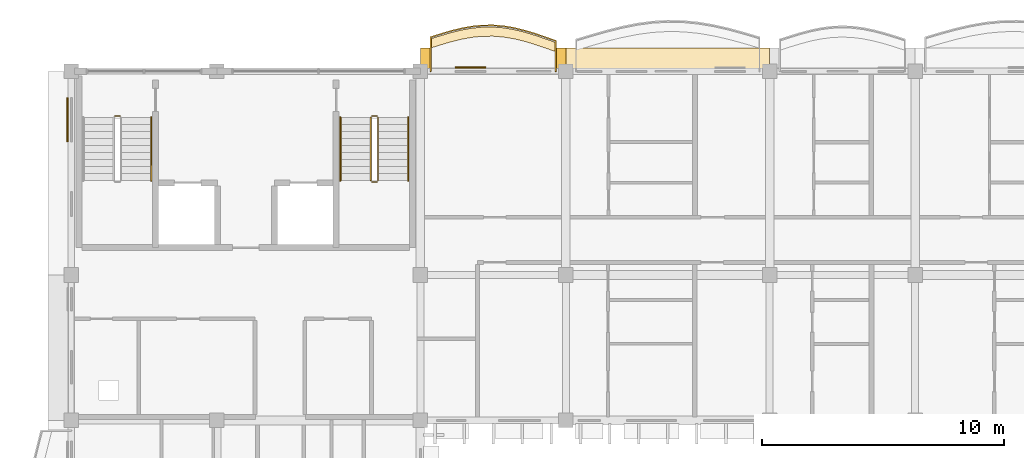
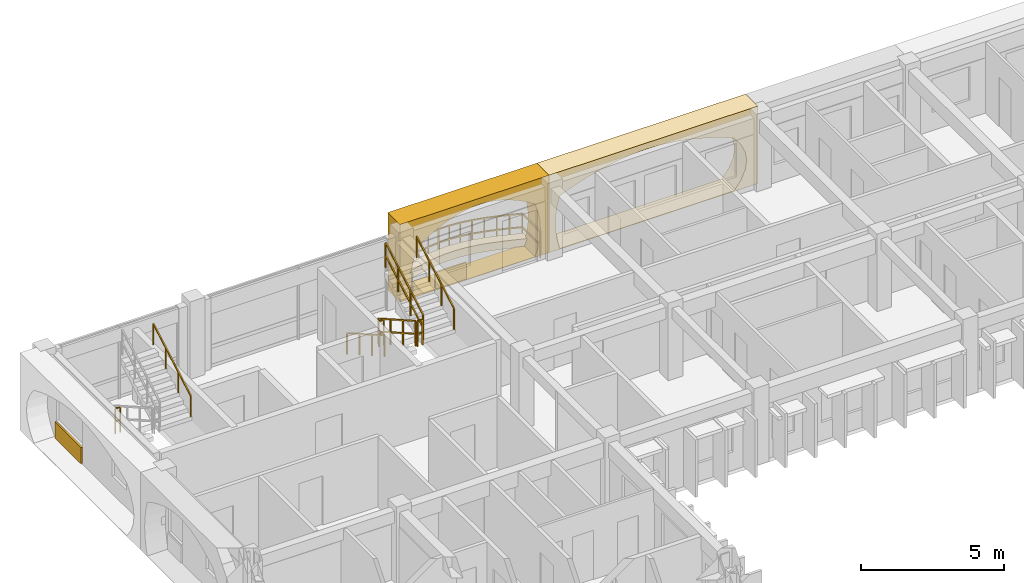
# One storey, part 36 of 45: 9 railings, 5 coverings.
"""IFC4 building model written with IfcOpenShell, lengths in metres."""

from ifc_helpers import new_model, si_unit, direction, frame, origin, origin_2d, place, context, subcontext, project, spatial, polyline, rectangle, outline, extrude, material, layer, layer_set, type_object, element, save


model = new_model("IFC4")

# Units and contexts
model_context = context("Model", 3, precision=1e-05, world=origin(), true_north=direction((0.0, 1.0)))
body_context = subcontext(model_context, "Body", "Model", "MODEL_VIEW")
ifc_project = project(units=[si_unit("LENGTHUNIT", "METRE"), si_unit("AREAUNIT", "SQUARE_METRE"), si_unit("VOLUMEUNIT", "CUBIC_METRE"), si_unit("PLANEANGLEUNIT", "RADIAN"), si_unit("MASSUNIT", "GRAM", prefix="KILO"), si_unit("THERMODYNAMICTEMPERATUREUNIT", "KELVIN")], contexts=[model_context])

# Site, building, storey
site_placement = place(None, origin())
site = spatial("IfcSite", under=ifc_project, at=site_placement, CompositionType="ELEMENT")
building_placement = place(site_placement, origin())
building = spatial("IfcBuilding", under=site, at=building_placement, Name="Thalorik Housing Commons", CompositionType="ELEMENT")
storey_placement = place(building_placement, frame((0.0, 0.0, 34.5)))
storey = spatial("IfcBuildingStorey", under=building, at=storey_placement, Name="L10", CompositionType="ELEMENT", Elevation=34.5)

# Coverings
ifc_material_1 = material(Name="Precast concrete C40/50", Category="concrete")
ifc_layer_1 = layer(ifc_material_1, 0.85009765625, Name="Precast concrete C40/50", Category="concrete")
ifc_layer_set_1 = layer_set([ifc_layer_1], Name="Precast concrete C40/50")
covering_type_1 = type_object("IfcCoveringType", Name="ARC-CLD-CUSH-850", PredefinedType="CLADDING", material=ifc_layer_set_1)
covering_1_placement = place(storey_placement, frame((33.0, 124.142578125, 0.0), z_axis=(0.0, 0.0, 1.0), x_axis=(-1.0, 0.0, 0.0)))
element("IfcCovering", 1, at=covering_1_placement, inside=storey, type_object=covering_type_1, Name="L10 White Precast Curved Cushion Bay Frame 1050", PredefinedType="CLADDING", context=body_context, shape_type="SweptSolid", body=[
    extrude(outline(polyline([(-4.199951171875, 0.0), (4.199951171875, 0.0), (4.199951171875, 3.300048828125), (-4.199951171875, 3.300048828125), (-4.199951171875, 0.0)]), holes=[polyline([(3.777099609375, 0.02490234375), (3.866455078125, 0.399169921875), (3.919921875, 0.773193359375), (3.93798828125, 1.1474609375), (3.919921875, 1.521728515625), (3.866455078125, 1.895751953125), (3.777099609375, 2.27001953125), (3.1923828125, 2.50439453125), (2.607666015625, 2.6884765625), (2.02294921875, 2.837646484375), (1.43798828125, 2.948486328125), (0.853515625, 3.016845703125), (0.2685546875, 3.0400390625), (-0.316162109375, 3.016845703125), (-0.90087890625, 2.948486328125), (-1.485595703125, 2.837646484375), (-2.070556640625, 2.6884765625), (-2.6552734375, 2.50439453125), (-3.239990234375, 2.27001953125), (-3.523193359375, 1.895751953125), (-3.693359375, 1.521728515625), (-3.75, 1.1474609375), (-3.693359375, 0.773193359375), (-3.523193359375, 0.399169921875), (-3.239990234375, 0.02490234375), (3.777099609375, 0.02490234375)])]), frame((0.0, 0.425048828125, 0.0), z_axis=(0.0, -1.0, 0.0), x_axis=(1.0, 0.0, 0.0)), (0.0, 0.0, 1.0), 0.85009765625),
])
covering_2_placement = place(storey_placement, frame((25.800048828125, 124.142578125, 0.0), z_axis=(0.0, 0.0, 1.0), x_axis=(-1.0, 0.0, 0.0)))
element("IfcCovering", 2, at=covering_2_placement, inside=storey, type_object=covering_type_1, Name="L10 White Precast Curved Cushion Bay Frame 1052", PredefinedType="CLADDING", context=body_context, shape_type="SweptSolid", body=[
    extrude(outline(polyline([(-3.0, 0.0), (3.0, 0.0), (3.0, 3.300048828125), (-3.0, 3.300048828125), (-3.0, 0.0)]), holes=[polyline([(2.0400390625, 0.02490234375), (2.3232421875, 0.399169921875), (2.493408203125, 0.773193359375), (2.550048828125, 1.1474609375), (2.493408203125, 1.521728515625), (2.3232421875, 1.895751953125), (2.0400390625, 2.27001953125), (1.66748046875, 2.50439453125), (1.294921875, 2.6884765625), (0.922607421875, 2.837646484375), (0.550048828125, 2.948486328125), (0.177490234375, 3.016845703125), (-0.195068359375, 3.0400390625), (-0.5673828125, 3.016845703125), (-0.93994140625, 2.948486328125), (-1.3125, 2.837646484375), (-1.68505859375, 2.6884765625), (-2.0576171875, 2.50439453125), (-2.429931640625, 2.27001953125), (-2.55029296875, 1.895751953125), (-2.62255859375, 1.521728515625), (-2.646484375, 1.1474609375), (-2.62255859375, 0.773193359375), (-2.55029296875, 0.399169921875), (-2.429931640625, 0.02490234375), (2.0400390625, 0.02490234375)])]), frame((0.0, 0.425048828125, 0.0), z_axis=(0.0, -1.0, 0.0), x_axis=(1.0, 0.0, 0.0)), (0.0, 0.0, 1.0), 0.85009765625),
])
ifc_material_2 = material(Name="Mineral ochre architectural terracotta panel", Category="masonry")
ifc_layer_2 = layer(ifc_material_2, 0.06494140625, Name="Mineral ochre architectural terracotta panel", Category="masonry")
ifc_layer_set_2 = layer_set([ifc_layer_2], Name="Mineral ochre architectural terracotta panel")
covering_type_2 = type_object("IfcCoveringType", Name="ARC-CLD-YEL-65", PredefinedType="CLADDING", material=ifc_layer_set_2)
covering_3_placement = place(storey_placement, frame((24.860107421875, 123.7548828125, 0.0498046875), z_axis=(0.0, 0.0, 1.0), x_axis=(-1.0, 0.0, 0.0)))
element("IfcCovering", 3, at=covering_3_placement, inside=storey, type_object=covering_type_2, Name="L10 De Stijl Recessed Window Spandrel 1053", PredefinedType="CLADDING", context=body_context, shape_type="SweptSolid", body=[
    extrude(rectangle(XDim=1.25, YDim=0.06494140625, at=origin_2d()), origin(), (0.0, 0.0, 1.0), 0.699951171875),
])
covering_4_placement = place(storey_placement, frame((8.2451171875, 121.603759765625, 0.0498046875), z_axis=(0.0, 0.0, 1.0), x_axis=(0.0, -1.0, 0.0)))
element("IfcCovering", 4, at=covering_4_placement, inside=storey, type_object=covering_type_2, Name="L10 De Stijl Recessed Window Spandrel 1055", PredefinedType="CLADDING", context=body_context, shape_type="SweptSolid", body=[
    extrude(rectangle(XDim=1.820068359375, YDim=0.06494140625, at=origin_2d()), origin(), (0.0, 0.0, 1.0), 0.699951171875),
])
ifc_material_3 = material(Name="Planted vegetated substrate and terracotta trough", Category="masonry")
ifc_layer_3 = layer(ifc_material_3, 0.340087890625, Name="Planted vegetated substrate and terracotta trough", Category="masonry")
ifc_layer_set_3 = layer_set([ifc_layer_3], Name="Planted vegetated substrate and terracotta trough")
covering_type_3 = type_object("IfcCoveringType", Name="ARC-COV-PLANTER", PredefinedType="USERDEFINED", material=ifc_layer_set_3)
covering_5_placement = place(storey_placement, origin())
element("IfcCovering", 5, at=covering_5_placement, inside=storey, type_object=covering_type_3, Name="L10 Balcony Slab-Edge Planted Trough 5385", ObjectType="PLANTER", PredefinedType="USERDEFINED", context=body_context, shape_type="SweptSolid", body=[
    extrude(outline(polyline([(28.3798828125, 124.786865234375), (27.949951171875, 124.939697265625), (27.52001953125, 125.086181640625), (27.090087890625, 125.2158203125), (26.659912109375, 125.31982421875), (26.22998046875, 125.391845703125), (25.800048828125, 125.427001953125), (25.3701171875, 125.423095703125), (24.93994140625, 125.381591796875), (24.510009765625, 125.305419921875), (24.080078125, 125.20068359375), (23.64990234375, 125.075439453125), (23.219970703125, 124.938720703125), (23.219970703125, 124.55859375), (23.64990234375, 124.695556640625), (24.080078125, 124.82080078125), (24.510009765625, 124.925537109375), (24.93994140625, 125.001708984375), (25.3701171875, 125.043212890625), (25.800048828125, 125.046875), (26.22998046875, 125.01171875), (26.659912109375, 124.93994140625), (27.090087890625, 124.835693359375), (27.52001953125, 124.7060546875), (27.949951171875, 124.559814453125), (28.3798828125, 124.40673828125), (28.3798828125, 124.786865234375)])), origin(), (0.0, 0.0, 1.0), 0.340087890625),
])

# Railings
ifc_material_4 = material(Name="Steel S355", Category="steel")
railing_type_1 = type_object("IfcRailingType", Name="ARC-RL-BAL-115", PredefinedType="BALUSTRADE", material=ifc_material_4)
railing_1_placement = place(storey_placement, frame((28.3798828125, 123.60009765625, 0.0)))
element("IfcRailing", 6, at=railing_1_placement, inside=storey, type_object=railing_type_1, Name="L10 Cushion Balcony Guardrail 69", PredefinedType="BALUSTRADE", context=body_context, shape_type="SweptSolid", body=[
    extrude(rectangle(XDim=0.050048828125, YDim=0.050048828125, at=origin_2d()), frame((0.0, 0.0, 1.125), z_axis=(0.0, 1.0, 0.0), x_axis=(-1.0, 0.0, 0.0)), (0.0, 0.0, 1.0), 1.256591796875),
    extrude(rectangle(XDim=0.050048828125, YDim=0.050048828125, at=origin_2d()), frame((0.0, 0.0, 0.5498046875), z_axis=(0.0, 1.0, 0.0), x_axis=(-1.0, 0.0, 0.0)), (0.0, 0.0, 1.0), 1.256591796875),
    extrude(rectangle(XDim=0.050048828125, YDim=0.050048828125, at=origin_2d()), frame((0.0, 1.256591796875, 1.125), z_axis=(-0.942068253885, 0.335421235199, 0.0), x_axis=(-0.335421235199, -0.942068253885, 0.0)), (0.0, 0.0, 1.0), 0.456298828125),
    extrude(rectangle(XDim=0.050048828125, YDim=0.050048828125, at=origin_2d()), frame((0.0, 1.256591796875, 0.5498046875), z_axis=(-0.942068253885, 0.335421235199, 0.0), x_axis=(-0.335421235199, -0.942068253885, 0.0)), (0.0, 0.0, 1.0), 0.456298828125),
    extrude(rectangle(XDim=0.050048828125, YDim=0.050048828125, at=origin_2d()), frame((-0.429931640625, 1.40966796875, 1.125), z_axis=(-0.94673013643, 0.322028024828, 0.0), x_axis=(-0.322028024828, -0.94673013643, 0.0)), (0.0, 0.0, 1.0), 0.4541015625),
    extrude(rectangle(XDim=0.050048828125, YDim=0.050048828125, at=origin_2d()), frame((-0.429931640625, 1.40966796875, 0.5498046875), z_axis=(-0.94673013643, 0.322028024828, 0.0), x_axis=(-0.322028024828, -0.94673013643, 0.0)), (0.0, 0.0, 1.0), 0.4541015625),
    extrude(rectangle(XDim=0.050048828125, YDim=0.050048828125, at=origin_2d()), frame((-0.85986328125, 1.555908203125, 1.125), z_axis=(-0.957421319012, 0.28869433299, 0.0), x_axis=(-0.28869433299, -0.957421319012, 0.0)), (0.0, 0.0, 1.0), 0.448974609375),
    extrude(rectangle(XDim=0.050048828125, YDim=0.050048828125, at=origin_2d()), frame((-0.85986328125, 1.555908203125, 0.5498046875), z_axis=(-0.957421319012, 0.28869433299, 0.0), x_axis=(-0.28869433299, -0.957421319012, 0.0)), (0.0, 0.0, 1.0), 0.448974609375),
    extrude(rectangle(XDim=0.050048828125, YDim=0.050048828125, at=origin_2d()), frame((-1.289794921875, 1.685546875, 1.125), z_axis=(-0.971869237666, 0.235521092215, 0.0), x_axis=(-0.235521092215, -0.971869237666, 0.0)), (0.0, 0.0, 1.0), 0.442626953125),
    extrude(rectangle(XDim=0.050048828125, YDim=0.050048828125, at=origin_2d()), frame((-1.289794921875, 1.685546875, 0.5498046875), z_axis=(-0.971869237666, 0.235521092215, 0.0), x_axis=(-0.235521092215, -0.971869237666, 0.0)), (0.0, 0.0, 1.0), 0.442626953125),
    extrude(rectangle(XDim=0.050048828125, YDim=0.050048828125, at=origin_2d()), frame((-1.719970703125, 1.789794921875, 1.125), z_axis=(-0.986257355507, 0.165216308844, 0.0), x_axis=(-0.165216308844, -0.986257355507, 0.0)), (0.0, 0.0, 1.0), 0.43603515625),
    extrude(rectangle(XDim=0.050048828125, YDim=0.050048828125, at=origin_2d()), frame((-1.719970703125, 1.789794921875, 0.5498046875), z_axis=(-0.986257355507, 0.165216308844, 0.0), x_axis=(-0.165216308844, -0.986257355507, 0.0)), (0.0, 0.0, 1.0), 0.43603515625),
    extrude(rectangle(XDim=0.050048828125, YDim=0.050048828125, at=origin_2d()), frame((-2.14990234375, 1.86181640625, 1.125), z_axis=(-0.996719183002, 0.080937446433, 0.0), x_axis=(-0.080937446433, -0.996719183002, 0.0)), (0.0, 0.0, 1.0), 0.431396484375),
    extrude(rectangle(XDim=0.050048828125, YDim=0.050048828125, at=origin_2d()), frame((-2.14990234375, 1.86181640625, 0.5498046875), z_axis=(-0.996719183002, 0.080937446433, 0.0), x_axis=(-0.080937446433, -0.996719183002, 0.0)), (0.0, 0.0, 1.0), 0.431396484375),
    extrude(rectangle(XDim=0.050048828125, YDim=0.050048828125, at=origin_2d()), frame((-2.579833984375, 1.896728515625, 1.125), z_axis=(-0.99996372477, -0.008517578576, 0.0), x_axis=(0.008517578576, -0.99996372477, 0.0)), (0.0, 0.0, 1.0), 0.429931640625),
    extrude(rectangle(XDim=0.050048828125, YDim=0.050048828125, at=origin_2d()), frame((-2.579833984375, 1.896728515625, 0.5498046875), z_axis=(-0.99996372477, -0.008517578576, 0.0), x_axis=(0.008517578576, -0.99996372477, 0.0)), (0.0, 0.0, 1.0), 0.429931640625),
    extrude(rectangle(XDim=0.050048828125, YDim=0.050048828125, at=origin_2d()), frame((-3.009765625, 1.89306640625, 1.125), z_axis=(-0.995377926131, -0.09603532772, 0.0), x_axis=(0.09603532772, -0.995377926131, 0.0)), (0.0, 0.0, 1.0), 0.43212890625),
    extrude(rectangle(XDim=0.050048828125, YDim=0.050048828125, at=origin_2d()), frame((-3.009765625, 1.89306640625, 0.5498046875), z_axis=(-0.995377926131, -0.09603532772, 0.0), x_axis=(0.09603532772, -0.995377926131, 0.0)), (0.0, 0.0, 1.0), 0.43212890625),
    extrude(rectangle(XDim=0.050048828125, YDim=0.050048828125, at=origin_2d()), frame((-3.43994140625, 1.8515625, 1.125), z_axis=(-0.984665121198, -0.174455149241, 0.0), x_axis=(0.174455149241, -0.984665121198, 0.0)), (0.0, 0.0, 1.0), 0.4365234375),
    extrude(rectangle(XDim=0.050048828125, YDim=0.050048828125, at=origin_2d()), frame((-3.43994140625, 1.8515625, 0.5498046875), z_axis=(-0.984665121198, -0.174455149241, 0.0), x_axis=(0.174455149241, -0.984665121198, 0.0)), (0.0, 0.0, 1.0), 0.4365234375),
    extrude(rectangle(XDim=0.050048828125, YDim=0.050048828125, at=origin_2d()), frame((-3.869873046875, 1.775390625, 1.125), z_axis=(-0.971585356615, -0.236689448034, 0.0), x_axis=(0.236689448034, -0.971585356615, 0.0)), (0.0, 0.0, 1.0), 0.442626953125),
    extrude(rectangle(XDim=0.050048828125, YDim=0.050048828125, at=origin_2d()), frame((-3.869873046875, 1.775390625, 0.5498046875), z_axis=(-0.971585356615, -0.236689448034, 0.0), x_axis=(0.236689448034, -0.971585356615, 0.0)), (0.0, 0.0, 1.0), 0.442626953125),
    extrude(rectangle(XDim=0.050048828125, YDim=0.050048828125, at=origin_2d()), frame((-4.2998046875, 1.670654296875, 1.125), z_axis=(-0.960134155835, -0.279539626528, 0.0), x_axis=(0.279539626528, -0.960134155835, 0.0)), (0.0, 0.0, 1.0), 0.447998046875),
    extrude(rectangle(XDim=0.050048828125, YDim=0.050048828125, at=origin_2d()), frame((-4.2998046875, 1.670654296875, 0.5498046875), z_axis=(-0.960134155835, -0.279539626528, 0.0), x_axis=(0.279539626528, -0.960134155835, 0.0)), (0.0, 0.0, 1.0), 0.447998046875),
    extrude(rectangle(XDim=0.050048828125, YDim=0.050048828125, at=origin_2d()), frame((-4.72998046875, 1.54541015625, 1.125), z_axis=(-0.952975516976, -0.30304729671, 0.0), x_axis=(0.30304729671, -0.952975516976, 0.0)), (0.0, 0.0, 1.0), 0.451171875),
    extrude(rectangle(XDim=0.050048828125, YDim=0.050048828125, at=origin_2d()), frame((-4.72998046875, 1.54541015625, 0.5498046875), z_axis=(-0.952975516976, -0.30304729671, 0.0), x_axis=(0.30304729671, -0.952975516976, 0.0)), (0.0, 0.0, 1.0), 0.451171875),
    extrude(rectangle(XDim=0.050048828125, YDim=0.050048828125, at=origin_2d()), frame((-5.159912109375, 1.40869140625, 1.125), z_axis=(0.0, -1.0, 0.0), x_axis=(1.0, 0.0, 0.0)), (0.0, 0.0, 1.0), 1.40869140625),
    extrude(rectangle(XDim=0.050048828125, YDim=0.050048828125, at=origin_2d()), frame((-5.159912109375, 1.40869140625, 0.5498046875), z_axis=(0.0, -1.0, 0.0), x_axis=(1.0, 0.0, 0.0)), (0.0, 0.0, 1.0), 1.40869140625),
    extrude(rectangle(XDim=0.0419921875, YDim=0.0419921875, at=origin_2d()), origin(), (0.0, 0.0, 1.0), 1.099853515625),
    extrude(rectangle(XDim=0.0419921875, YDim=0.0419921875, at=origin_2d()), frame((0.0, 1.256591796875, 0.0)), (0.0, 0.0, 1.0), 1.099853515625),
    extrude(rectangle(XDim=0.0419921875, YDim=0.0419921875, at=origin_2d()), frame((-0.429931640625, 1.40966796875, 0.0)), (0.0, 0.0, 1.0), 1.099853515625),
    extrude(rectangle(XDim=0.0419921875, YDim=0.0419921875, at=origin_2d()), frame((-0.85986328125, 1.555908203125, 0.0)), (0.0, 0.0, 1.0), 1.099853515625),
    extrude(rectangle(XDim=0.0419921875, YDim=0.0419921875, at=origin_2d()), frame((-1.289794921875, 1.685546875, 0.0)), (0.0, 0.0, 1.0), 1.099853515625),
    extrude(rectangle(XDim=0.0419921875, YDim=0.0419921875, at=origin_2d()), frame((-1.719970703125, 1.789794921875, 0.0)), (0.0, 0.0, 1.0), 1.099853515625),
    extrude(rectangle(XDim=0.0419921875, YDim=0.0419921875, at=origin_2d()), frame((-2.14990234375, 1.86181640625, 0.0)), (0.0, 0.0, 1.0), 1.099853515625),
    extrude(rectangle(XDim=0.0419921875, YDim=0.0419921875, at=origin_2d()), frame((-2.579833984375, 1.896728515625, 0.0)), (0.0, 0.0, 1.0), 1.099853515625),
    extrude(rectangle(XDim=0.0419921875, YDim=0.0419921875, at=origin_2d()), frame((-3.009765625, 1.89306640625, 0.0)), (0.0, 0.0, 1.0), 1.099853515625),
    extrude(rectangle(XDim=0.0419921875, YDim=0.0419921875, at=origin_2d()), frame((-3.43994140625, 1.8515625, 0.0)), (0.0, 0.0, 1.0), 1.099853515625),
    extrude(rectangle(XDim=0.0419921875, YDim=0.0419921875, at=origin_2d()), frame((-3.869873046875, 1.775390625, 0.0)), (0.0, 0.0, 1.0), 1.099853515625),
    extrude(rectangle(XDim=0.0419921875, YDim=0.0419921875, at=origin_2d()), frame((-4.2998046875, 1.670654296875, 0.0)), (0.0, 0.0, 1.0), 1.099853515625),
    extrude(rectangle(XDim=0.0419921875, YDim=0.0419921875, at=origin_2d()), frame((-4.72998046875, 1.54541015625, 0.0)), (0.0, 0.0, 1.0), 1.099853515625),
    extrude(rectangle(XDim=0.0419921875, YDim=0.0419921875, at=origin_2d()), frame((-5.159912109375, 1.40869140625, 0.0)), (0.0, 0.0, 1.0), 1.099853515625),
    extrude(rectangle(XDim=0.0419921875, YDim=0.0419921875, at=origin_2d()), frame((-5.159912109375, 0.0, 0.0)), (0.0, 0.0, 1.0), 1.099853515625),
])
railing_type_2 = type_object("IfcRailingType", Name="ARC-RL-STR-GRD110", PredefinedType="GUARDRAIL", material=ifc_material_4)
railing_2_placement = place(storey_placement, frame((10.199951171875, 121.75, 0.0)))
element("IfcRailing", 7, at=railing_2_placement, inside=storey, type_object=railing_type_2, Name="L10 ST-A1 stair guard 4", PredefinedType="GUARDRAIL", context=body_context, shape_type="SweptSolid", body=[
    extrude(rectangle(XDim=0.048095703125, YDim=0.048095703125, at=origin_2d()), frame((0.0, 0.0, 1.076171875), z_axis=(1.0, 0.0, 0.0), x_axis=(0.0, 1.0, 0.0)), (0.0, 0.0, 1.0), 0.199951171875),
    extrude(rectangle(XDim=0.048095703125, YDim=0.048095703125, at=origin_2d()), frame((0.0, 0.0, 0.52587890625), z_axis=(1.0, 0.0, 0.0), x_axis=(0.0, 1.0, 0.0)), (0.0, 0.0, 1.0), 0.199951171875),
    extrude(rectangle(XDim=0.0419921875, YDim=0.0419921875, at=origin_2d()), origin(), (0.0, 0.0, 1.0), 1.052001953125),
    extrude(rectangle(XDim=0.0419921875, YDim=0.0419921875, at=origin_2d()), frame((0.199951171875, 0.0, 0.0)), (0.0, 0.0, 1.0), 1.052001953125),
])
railing_3_placement = place(storey_placement, frame((20.75, 121.699951171875, 0.1650390625)))
element("IfcRailing", 8, at=railing_3_placement, inside=storey, type_object=railing_type_2, Name="L10 ST-A2 stair guard 1", PredefinedType="GUARDRAIL", context=body_context, shape_type="SweptSolid", body=[
    extrude(rectangle(XDim=0.048095703125, YDim=0.048095703125, at=origin_2d()), frame((0.0, 0.0, 1.076171875), z_axis=(0.0, -0.869172267526, 0.494509422927), x_axis=(1.0, 0.0, 0.0)), (0.0, 0.0, 1.0), 3.002685546875),
    extrude(rectangle(XDim=0.048095703125, YDim=0.048095703125, at=origin_2d()), frame((0.0, 0.0, 0.52587890625), z_axis=(0.0, -0.869172267526, 0.494509422927), x_axis=(1.0, 0.0, 0.0)), (0.0, 0.0, 1.0), 3.002685546875),
    extrude(rectangle(XDim=0.0419921875, YDim=0.0419921875, at=origin_2d()), origin(), (0.0, 0.0, 1.0), 1.052001953125),
    extrude(rectangle(XDim=0.0419921875, YDim=0.0419921875, at=origin_2d()), frame((0.0, -0.869873046875, 0.494873046875)), (0.0, 0.0, 1.0), 1.052001953125),
    extrude(rectangle(XDim=0.0419921875, YDim=0.0419921875, at=origin_2d()), frame((0.0, -1.739990234375, 0.989990234375)), (0.0, 0.0, 1.0), 1.052001953125),
    extrude(rectangle(XDim=0.0419921875, YDim=0.0419921875, at=origin_2d()), frame((0.0, -2.60986328125, 1.48486328125)), (0.0, 0.0, 1.0), 1.052001953125),
])
railing_4_placement = place(storey_placement, frame((20.800048828125, 119.0400390625, 1.64990234375)))
element("IfcRailing", 9, at=railing_4_placement, inside=storey, type_object=railing_type_2, Name="L10 ST-A2 stair guard 2", PredefinedType="GUARDRAIL", context=body_context, shape_type="SweptSolid", body=[
    extrude(rectangle(XDim=0.048095703125, YDim=0.048095703125, at=origin_2d()), frame((0.0, 0.0, 1.076171875), z_axis=(1.0, 0.0, 0.0), x_axis=(0.0, 1.0, 0.0)), (0.0, 0.0, 1.0), 0.199951171875),
    extrude(rectangle(XDim=0.048095703125, YDim=0.048095703125, at=origin_2d()), frame((0.0, 0.0, 0.52587890625), z_axis=(1.0, 0.0, 0.0), x_axis=(0.0, 1.0, 0.0)), (0.0, 0.0, 1.0), 0.199951171875),
    extrude(rectangle(XDim=0.0419921875, YDim=0.0419921875, at=origin_2d()), origin(), (0.0, 0.0, 1.0), 1.052001953125),
    extrude(rectangle(XDim=0.0419921875, YDim=0.0419921875, at=origin_2d()), frame((0.199951171875, 0.0, 0.0)), (0.0, 0.0, 1.0), 1.052001953125),
])
railing_5_placement = place(storey_placement, frame((21.050048828125, 119.090087890625, 1.81494140625)))
element("IfcRailing", 10, at=railing_5_placement, inside=storey, type_object=railing_type_2, Name="L10 ST-A2 stair guard 3", PredefinedType="GUARDRAIL", context=body_context, shape_type="SweptSolid", body=[
    extrude(rectangle(XDim=0.048095703125, YDim=0.048095703125, at=origin_2d()), frame((0.0, 0.0, 1.076171875), z_axis=(0.0, 0.869137319866, 0.494570843475), x_axis=(-1.0, 0.0, 0.0)), (0.0, 0.0, 1.0), 3.0029296875),
    extrude(rectangle(XDim=0.048095703125, YDim=0.048095703125, at=origin_2d()), frame((0.0, 0.0, 0.52587890625), z_axis=(0.0, 0.869137319866, 0.494570843475), x_axis=(-1.0, 0.0, 0.0)), (0.0, 0.0, 1.0), 3.0029296875),
    extrude(rectangle(XDim=0.0419921875, YDim=0.0419921875, at=origin_2d()), origin(), (0.0, 0.0, 1.0), 1.052001953125),
    extrude(rectangle(XDim=0.0419921875, YDim=0.0419921875, at=origin_2d()), frame((0.0, 0.869873046875, 0.4951171875)), (0.0, 0.0, 1.0), 1.052001953125),
    extrude(rectangle(XDim=0.0419921875, YDim=0.0419921875, at=origin_2d()), frame((0.0, 1.739990234375, 0.989990234375)), (0.0, 0.0, 1.0), 1.052001953125),
    extrude(rectangle(XDim=0.0419921875, YDim=0.0419921875, at=origin_2d()), frame((0.0, 2.60986328125, 1.485107421875)), (0.0, 0.0, 1.0), 1.052001953125),
])
railing_6_placement = place(storey_placement, frame((20.800048828125, 121.75, 0.0)))
element("IfcRailing", 11, at=railing_6_placement, inside=storey, type_object=railing_type_2, Name="L10 ST-A2 stair guard 4", PredefinedType="GUARDRAIL", context=body_context, shape_type="SweptSolid", body=[
    extrude(rectangle(XDim=0.048095703125, YDim=0.048095703125, at=origin_2d()), frame((0.0, 0.0, 1.076171875), z_axis=(1.0, 0.0, 0.0), x_axis=(0.0, 1.0, 0.0)), (0.0, 0.0, 1.0), 0.199951171875),
    extrude(rectangle(XDim=0.048095703125, YDim=0.048095703125, at=origin_2d()), frame((0.0, 0.0, 0.52587890625), z_axis=(1.0, 0.0, 0.0), x_axis=(0.0, 1.0, 0.0)), (0.0, 0.0, 1.0), 0.199951171875),
    extrude(rectangle(XDim=0.0419921875, YDim=0.0419921875, at=origin_2d()), origin(), (0.0, 0.0, 1.0), 1.052001953125),
    extrude(rectangle(XDim=0.0419921875, YDim=0.0419921875, at=origin_2d()), frame((0.199951171875, 0.0, 0.0)), (0.0, 0.0, 1.0), 1.052001953125),
])
railing_type_3 = type_object("IfcRailingType", Name="ARC-RL-STR-HR092", PredefinedType="HANDRAIL", material=ifc_material_4)
railing_7_placement = place(storey_placement, frame((11.699951171875, 119.090087890625, 1.81494140625)))
element("IfcRailing", 12, at=railing_7_placement, inside=storey, type_object=railing_type_3, Name="L10 ST-A1 stair handrail 2", PredefinedType="HANDRAIL", context=body_context, shape_type="SweptSolid", body=[
    extrude(rectangle(XDim=0.048095703125, YDim=0.048095703125, at=origin_2d()), frame((0.0, 0.0, 0.89599609375), z_axis=(0.0, 0.869137319866, 0.494570843475), x_axis=(-1.0, 0.0, 0.0)), (0.0, 0.0, 1.0), 3.0029296875),
    extrude(rectangle(XDim=0.0419921875, YDim=0.0419921875, at=origin_2d()), origin(), (0.0, 0.0, 1.0), 0.871826171875),
    extrude(rectangle(XDim=0.0419921875, YDim=0.0419921875, at=origin_2d()), frame((0.0, 0.869873046875, 0.4951171875)), (0.0, 0.0, 1.0), 0.871826171875),
    extrude(rectangle(XDim=0.0419921875, YDim=0.0419921875, at=origin_2d()), frame((0.0, 1.739990234375, 0.989990234375)), (0.0, 0.0, 1.0), 0.871826171875),
    extrude(rectangle(XDim=0.0419921875, YDim=0.0419921875, at=origin_2d()), frame((0.0, 2.60986328125, 1.485107421875)), (0.0, 0.0, 1.0), 0.871826171875),
])
railing_8_placement = place(storey_placement, frame((19.5, 121.699951171875, 0.1650390625)))
element("IfcRailing", 13, at=railing_8_placement, inside=storey, type_object=railing_type_3, Name="L10 ST-A2 stair handrail 1", PredefinedType="HANDRAIL", context=body_context, shape_type="SweptSolid", body=[
    extrude(rectangle(XDim=0.048095703125, YDim=0.048095703125, at=origin_2d()), frame((0.0, 0.0, 0.89599609375), z_axis=(0.0, -0.869172267526, 0.494509422927), x_axis=(1.0, 0.0, 0.0)), (0.0, 0.0, 1.0), 3.002685546875),
    extrude(rectangle(XDim=0.0419921875, YDim=0.0419921875, at=origin_2d()), origin(), (0.0, 0.0, 1.0), 0.871826171875),
    extrude(rectangle(XDim=0.0419921875, YDim=0.0419921875, at=origin_2d()), frame((0.0, -0.869873046875, 0.494873046875)), (0.0, 0.0, 1.0), 0.871826171875),
    extrude(rectangle(XDim=0.0419921875, YDim=0.0419921875, at=origin_2d()), frame((0.0, -1.739990234375, 0.989990234375)), (0.0, 0.0, 1.0), 0.871826171875),
    extrude(rectangle(XDim=0.0419921875, YDim=0.0419921875, at=origin_2d()), frame((0.0, -2.60986328125, 1.48486328125)), (0.0, 0.0, 1.0), 0.871826171875),
])
railing_9_placement = place(storey_placement, frame((22.300048828125, 119.090087890625, 1.81494140625)))
element("IfcRailing", 14, at=railing_9_placement, inside=storey, type_object=railing_type_3, Name="L10 ST-A2 stair handrail 2", PredefinedType="HANDRAIL", context=body_context, shape_type="SweptSolid", body=[
    extrude(rectangle(XDim=0.048095703125, YDim=0.048095703125, at=origin_2d()), frame((0.0, 0.0, 0.89599609375), z_axis=(0.0, 0.869137319866, 0.494570843475), x_axis=(-1.0, 0.0, 0.0)), (0.0, 0.0, 1.0), 3.0029296875),
    extrude(rectangle(XDim=0.0419921875, YDim=0.0419921875, at=origin_2d()), origin(), (0.0, 0.0, 1.0), 0.871826171875),
    extrude(rectangle(XDim=0.0419921875, YDim=0.0419921875, at=origin_2d()), frame((0.0, 0.869873046875, 0.4951171875)), (0.0, 0.0, 1.0), 0.871826171875),
    extrude(rectangle(XDim=0.0419921875, YDim=0.0419921875, at=origin_2d()), frame((0.0, 1.739990234375, 0.989990234375)), (0.0, 0.0, 1.0), 0.871826171875),
    extrude(rectangle(XDim=0.0419921875, YDim=0.0419921875, at=origin_2d()), frame((0.0, 2.60986328125, 1.485107421875)), (0.0, 0.0, 1.0), 0.871826171875),
])

save(model, "model.ifc")
